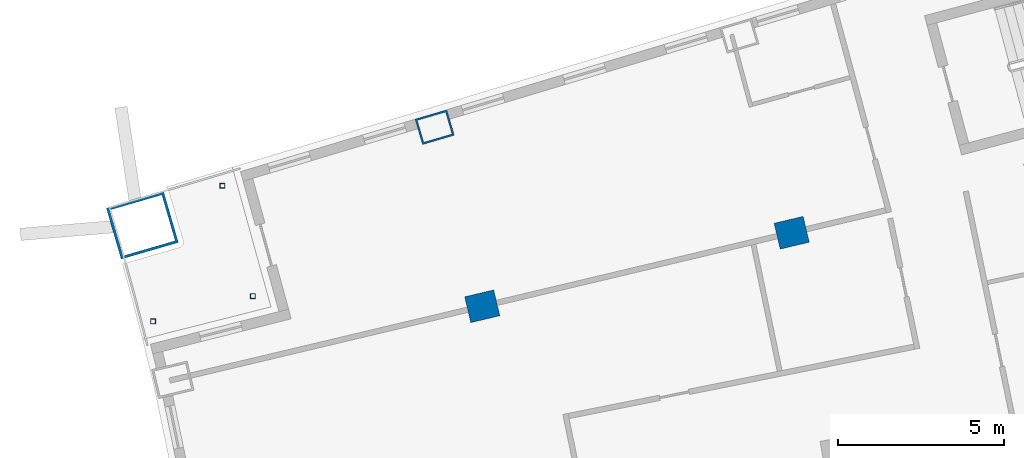
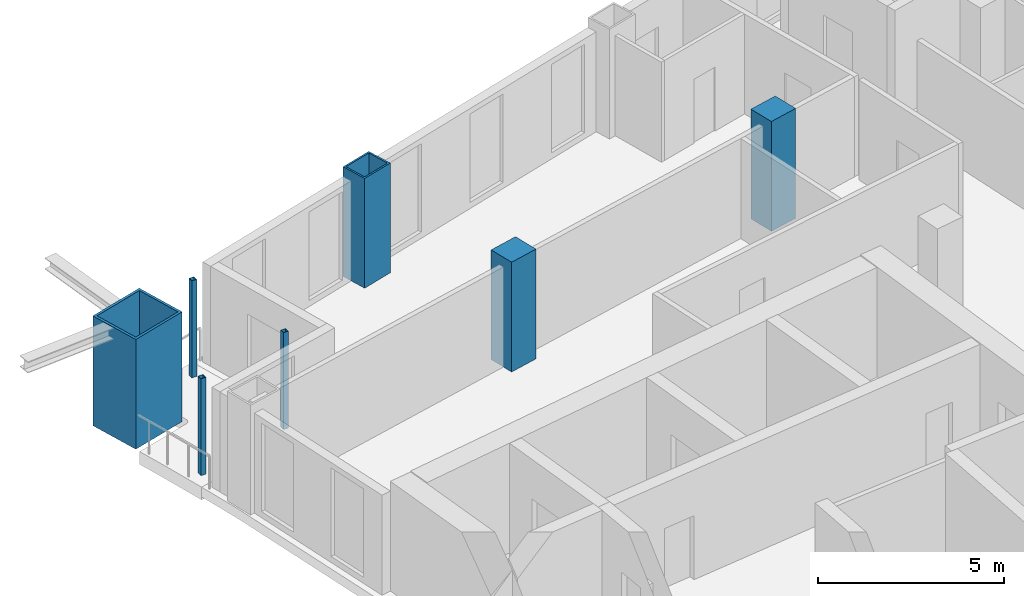
# One storey, part 7 of 20: 7 columns.
"""IFC4 building model written with IfcOpenShell, lengths in metres."""

from ifc_helpers import new_model, si_unit, direction, frame, origin, origin_2d, place, context, subcontext, project, spatial, rectangle, hollow_rectangle, extrude, material, material_profile, profile_set, type_object, element, save


model = new_model("IFC4")

# Units and contexts
model_context = context("Model", 3, precision=1e-05, world=origin(), true_north=direction((0.0, 1.0)))
body_context = subcontext(model_context, "Body", "Model", "MODEL_VIEW")
ifc_project = project(units=[si_unit("LENGTHUNIT", "METRE"), si_unit("AREAUNIT", "SQUARE_METRE"), si_unit("VOLUMEUNIT", "CUBIC_METRE"), si_unit("PLANEANGLEUNIT", "RADIAN"), si_unit("MASSUNIT", "GRAM", prefix="KILO")], contexts=[model_context])

# Site, building, storey
site_placement = place(None, origin())
site = spatial("IfcSite", under=ifc_project, at=site_placement, CompositionType="ELEMENT")
building_placement = place(site_placement, origin())
building = spatial("IfcBuilding", under=site, at=building_placement, Name="Alderwake Tower", CompositionType="ELEMENT")
storey_placement = place(building_placement, frame((0.0, 0.0, 178.39990234375)))
storey = spatial("IfcBuildingStorey", under=building, at=storey_placement, Name="L44", CompositionType="ELEMENT", Elevation=178.39990234375)

# Columns
ifc_material_1 = material(Name="Steel ASTM A572 Grade 50 concrete filled C70/85", Category="concrete")
ifc_material_profile_1 = material_profile(ifc_material_1, hollow_rectangle(XDim=0.800048828125, YDim=1.0, WallThickness=0.054931640625, at=origin_2d()), Name="BOX 1000X800X55")
ifc_profile_set_1 = profile_set([ifc_material_profile_1], Name="Steel ASTM A572 Grade 50 concrete filled C70/85")
column_type_1 = type_object("IfcColumnType", Name="End column Z3", PredefinedType="COLUMN", material=ifc_profile_set_1)
column_1_placement = place(storey_placement, frame((21.885498046875, 90.96240234375, 0.0), z_axis=(0.0, 0.0, 1.0), x_axis=(-0.282132160283, 0.95937554906, 0.0)))
element("IfcColumn", 1, at=column_1_placement, inside=storey, type_object=column_type_1, Name="Column R12-C1", PredefinedType="COLUMN", context=body_context, shape_type="SweptSolid", body=[
    extrude(hollow_rectangle(XDim=0.800048828125, YDim=1.0, WallThickness=0.054931640625, at=origin_2d()), origin(), (0.0, 0.0, 1.0), 3.60009765625),
])
ifc_material_2 = material(Name="Concrete C70/85", Category="concrete")
ifc_material_profile_2 = material_profile(ifc_material_2, rectangle(XDim=0.800048828125, YDim=0.89990234375, at=origin_2d()), Name="RC 900X800")
ifc_profile_set_2 = profile_set([ifc_material_profile_2], Name="Concrete C70/85")
column_type_2 = type_object("IfcColumnType", Name="Interior column Z3", PredefinedType="COLUMN", material=ifc_profile_set_2)
for number, where, z_axis, x_axis, name in (
    (2, (23.322021484375, 85.555908203125, 0.0), (0.0, 0.0, 1.0), (-0.231221547198, 0.972901123502, 0.0), "Column R11-C1"),
    (3, (32.661865234375, 87.775390625, 0.0), (0.0, 0.0, 1.0), (-0.231221547198, 0.972901123502, 0.0), "Column R11-C2"),
):
    element("IfcColumn", number, at=place(storey_placement, frame(where, z_axis=z_axis, x_axis=x_axis)), inside=storey, type_object=column_type_2, Name=name, PredefinedType="COLUMN", context=body_context, shape_type="SweptSolid", body=[
        extrude(rectangle(XDim=0.800048828125, YDim=0.89990234375, at=origin_2d()), origin(), (0.0, 0.0, 1.0), 3.60009765625),
    ])
ifc_material_3 = material(Name="Steel ASTM A500 Grade C", Category="steel")
ifc_material_profile_3 = material_profile(ifc_material_3, hollow_rectangle(XDim=0.15234375, YDim=0.15234375, WallThickness=0.0087890625, at=origin_2d()), Name="HSS6X6X3/8")
ifc_profile_set_3 = profile_set([ifc_material_profile_3], Name="Steel ASTM A500 Grade C")
column_type_3 = type_object("IfcColumnType", Name="Light post HSS6X6X3/8", PredefinedType="COLUMN", material=ifc_profile_set_3)
for number, where, z_axis, x_axis, name in (
    (4, (13.3896484375, 85.103515625, 0.0), (0.0, 0.0, 1.0), (1.0, 0.0, 0.0), "Terrace post RN1"),
    (5, (15.47412109375, 89.194091796875, 0.0), (0.0, 0.0, 1.0), (1.0, 0.0, 0.0), "Terrace post RN2"),
    (6, (16.39501953125, 85.864013671875, 0.0), (0.0, 0.0, 1.0), (1.0, 0.0, 0.0), "Terrace post RN3"),
):
    element("IfcColumn", number, at=place(storey_placement, frame(where, z_axis=z_axis, x_axis=x_axis)), inside=storey, type_object=column_type_3, Name=name, PredefinedType="COLUMN", context=body_context, shape_type="SweptSolid", body=[
        extrude(hollow_rectangle(XDim=0.15234375, YDim=0.15234375, WallThickness=0.0087890625, at=origin_2d()), origin(), (0.0, 0.0, 1.0), 3.18017578125),
    ])
ifc_material_4 = material(Name="Steel ASTM A572 Grade 50 concrete filled C70/85", Category="concrete")
ifc_material_profile_4 = material_profile(ifc_material_4, hollow_rectangle(XDim=1.60009765625, YDim=1.800048828125, WallThickness=0.080078125, at=origin_2d()), Name="BOX 1800X1600X80")
ifc_profile_set_4 = profile_set([ifc_material_profile_4], Name="Steel ASTM A572 Grade 50 concrete filled C70/85")
column_type_4 = type_object("IfcColumnType", Name="Mega column Z3", PredefinedType="COLUMN", material=ifc_profile_set_4)
column_2_placement = place(storey_placement, frame((13.06298828125, 87.99755859375, 0.0), z_axis=(0.0, 0.0, 1.0), x_axis=(-0.278612301868, 0.960403657452, 0.0)))
element("IfcColumn", 7, at=column_2_placement, inside=storey, type_object=column_type_4, Name="Column R12-C0", PredefinedType="COLUMN", context=body_context, shape_type="SweptSolid", body=[
    extrude(hollow_rectangle(XDim=1.60009765625, YDim=1.800048828125, WallThickness=0.080078125, at=origin_2d()), origin(), (0.0, 0.0, 1.0), 3.60009765625),
])

save(model, "model.ifc")
